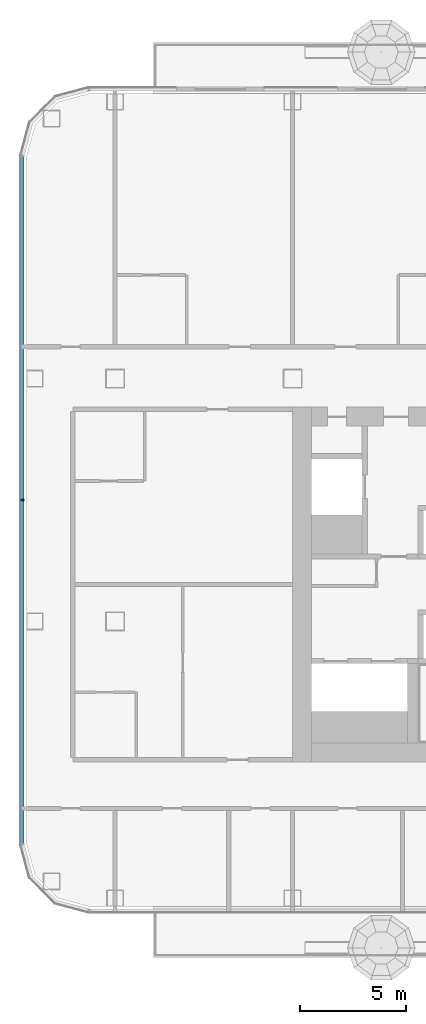
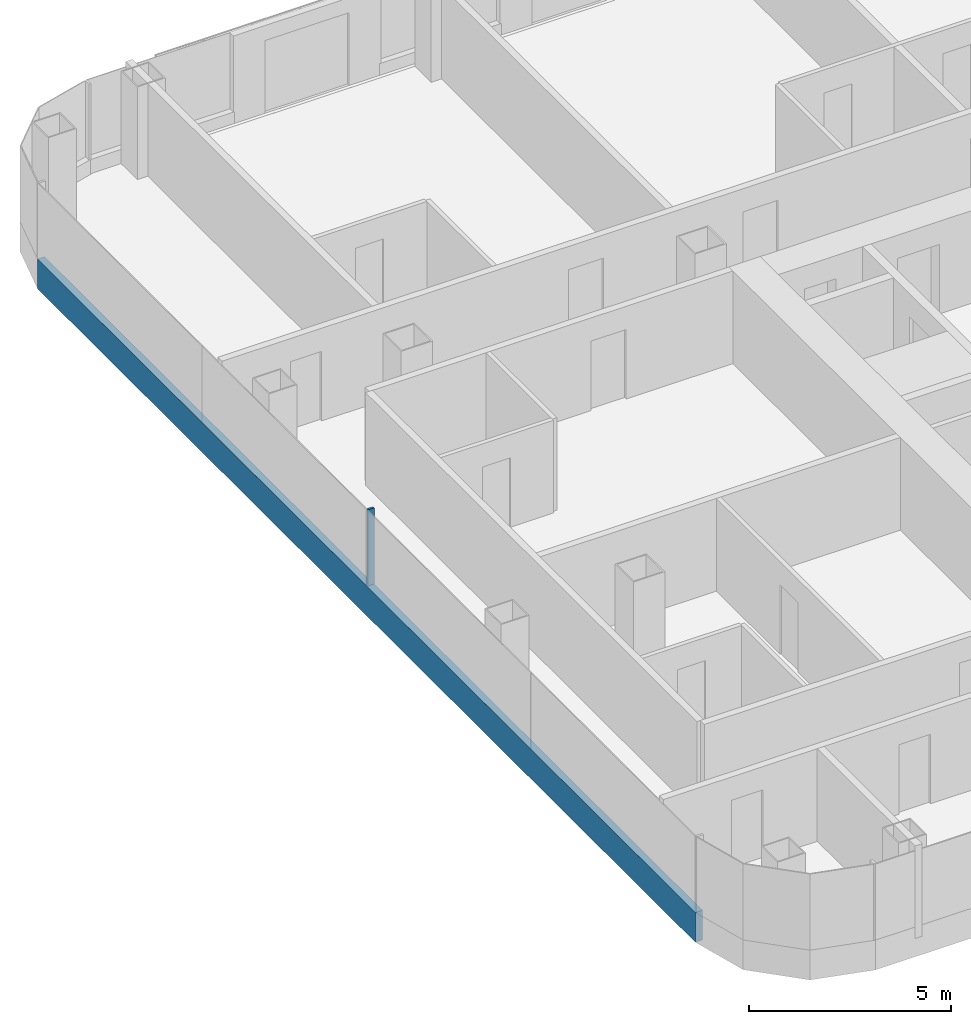
# One storey, part 3 of 34: 2 members, 1 element without a shape of its own.
"""IFC4 building model written with IfcOpenShell, lengths in metres."""

from ifc_helpers import new_model, si_unit, direction, frame, origin, origin_2d, place, context, subcontext, project, spatial, rectangle, extrude, material, layer, layer_set, material_profile, profile_set, type_object, element, aggregate, save


model = new_model("IFC4")

# Units and contexts
model_context = context("Model", 3, precision=1e-05, world=origin(), true_north=direction((0.0, 1.0)))
body_context = subcontext(model_context, "Body", "Model", "MODEL_VIEW")
ifc_project = project(units=[si_unit("LENGTHUNIT", "METRE"), si_unit("AREAUNIT", "SQUARE_METRE"), si_unit("VOLUMEUNIT", "CUBIC_METRE"), si_unit("PLANEANGLEUNIT", "RADIAN"), si_unit("MASSUNIT", "GRAM", prefix="KILO")], contexts=[model_context])

# Site, building, storey
site_placement = place(None, origin())
site = spatial("IfcSite", under=ifc_project, at=site_placement, CompositionType="ELEMENT")
building_placement = place(site_placement, origin())
building = spatial("IfcBuilding", under=site, at=building_placement, Name="Hakoniwa Tower and Hamabe Station Hall", CompositionType="ELEMENT")
storey_placement = place(building_placement, frame((0.0, 0.0, 107.39990234375)))
storey = spatial("IfcBuildingStorey", under=building, at=storey_placement, Name="L30", CompositionType="ELEMENT", Elevation=107.39990234375)

# Curtain wall, members
ifc_material_1 = material(Name="Dark low-e laminated glass", Category="glass")
ifc_layer = layer(ifc_material_1, 0.199951171875)
ifc_layer_set = layer_set([ifc_layer], Name="CW-1 UNITISED GUEST")
curtain_wall_type = type_object("IfcCurtainWallType", Name="CW-1 UNITISED GUEST", PredefinedType="NOTDEFINED", material=ifc_layer_set)
curtain_wall_placement = place(storey_placement, origin())
curtain_wall = element("IfcCurtainWall", 1, at=curtain_wall_placement, inside=storey, type_object=curtain_wall_type, Name="CW-1 curtain wall", PredefinedType="NOTDEFINED")
ifc_material_2 = material(Name="Aluminium 6063-T5 black anodised", Category="aluminium")
ifc_material_profile_1 = material_profile(ifc_material_2, rectangle(XDim=0.199951171875, YDim=0.89990234375, at=origin_2d()), Name="CW SLAB-EDGE BAND 900X200")
ifc_profile_set_1 = profile_set([ifc_material_profile_1], Name="Aluminium 6063-T5 black anodised")
member_type_1 = type_object("IfcMemberType", Name="CW SLAB-EDGE BAND 900X200", PredefinedType="USERDEFINED", material=ifc_profile_set_1)
member_1_placement = place(storey_placement, frame((-46.39990234375, 20.28955078125, -0.099853515625), z_axis=(0.0, -1.0, 0.0), x_axis=(1.0, 0.0, 0.0)))
member_1 = element("IfcMember", 2, at=member_1_placement, type_object=member_type_1, Name="CW-1 transom", ObjectType="TRANSOM", PredefinedType="USERDEFINED", context=body_context, shape_type="SweptSolid", body=[
    extrude(rectangle(XDim=0.199951171875, YDim=0.89990234375, at=origin_2d()), origin(), (0.0, 0.0, 1.0), 32.5791015625),
])
ifc_material_3 = material(Name="Aluminium 6063-T5 black anodised", Category="aluminium")
ifc_material_profile_2 = material_profile(ifc_material_3, rectangle(XDim=0.06005859375, YDim=0.179931640625, at=origin_2d()), Name="CW-1 MULLION 60X180")
ifc_profile_set_2 = profile_set([ifc_material_profile_2], Name="Aluminium 6063-T5 black anodised")
member_type_2 = type_object("IfcMemberType", Name="CW-1 MULLION 60X180", PredefinedType="MULLION", material=ifc_profile_set_2)
member_2_placement = place(storey_placement, frame((-46.382080078125, 4.0, 0.35009765625), z_axis=(0.0, 0.0, 1.0), x_axis=(0.0, -1.0, 0.0)))
member_2 = element("IfcMember", 3, at=member_2_placement, type_object=member_type_2, Name="CW-1 mullion", PredefinedType="MULLION", context=body_context, shape_type="SweptSolid", body=[
    extrude(rectangle(XDim=0.06005859375, YDim=0.179931640625, at=origin_2d()), origin(), (0.0, 0.0, 1.0), 2.300048828125),
])
aggregate(curtain_wall, [member_2, member_1])

save(model, "model.ifc")
